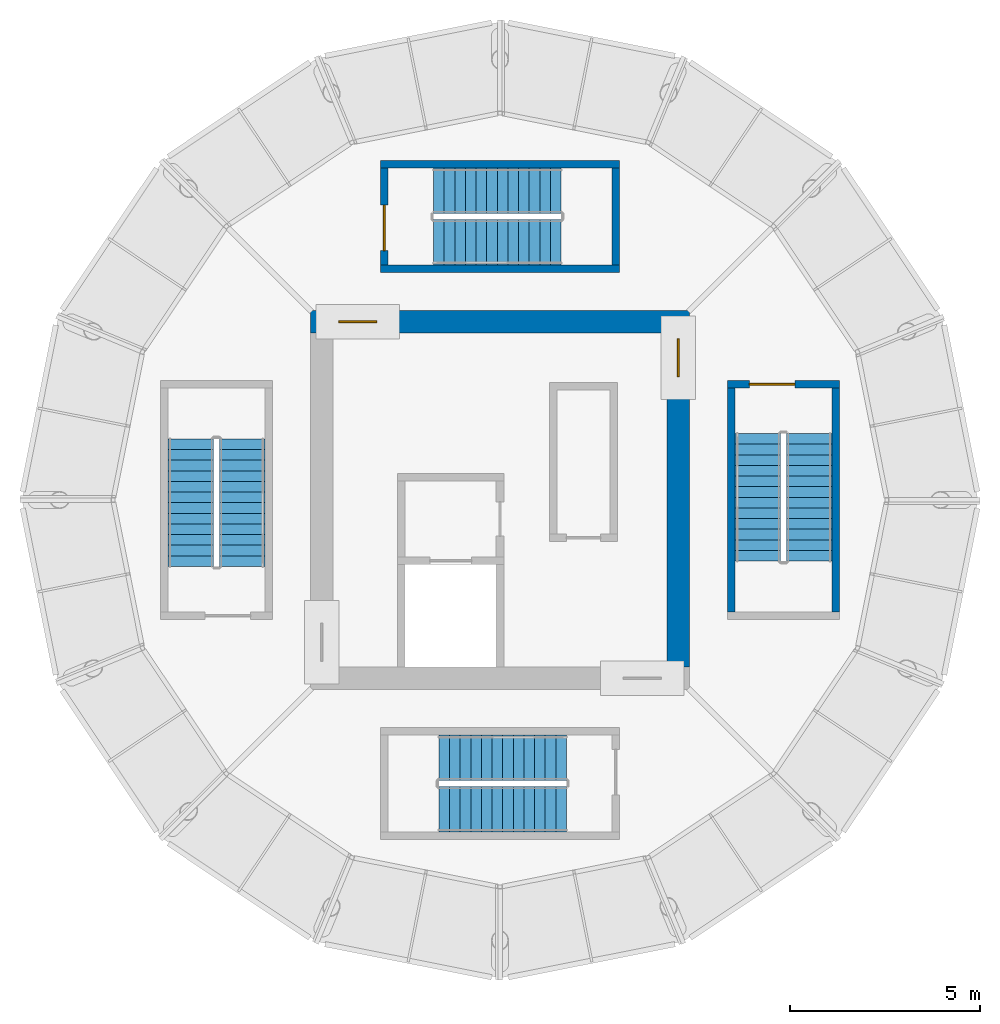
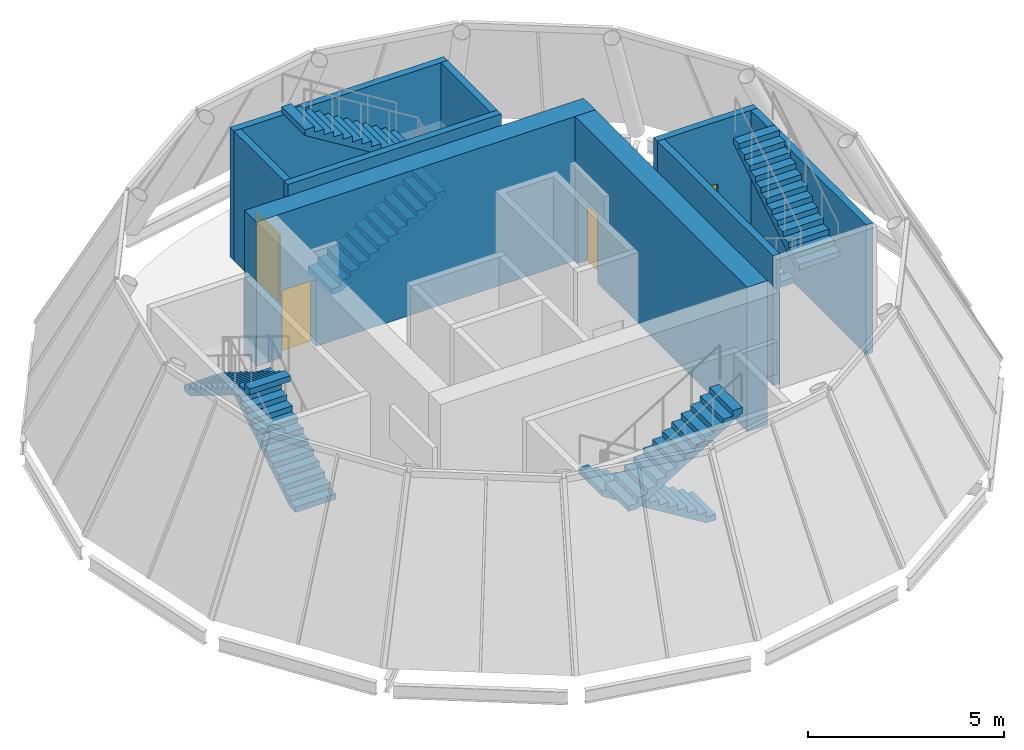
# One storey, part 4 of 5: 9 walls, 8 stair flights, 4 doors, 4 openings, 4 elements without a shape of their own.
"""IFC4 building model written with IfcOpenShell, lengths in metres."""

from ifc_helpers import new_model, si_unit, direction, frame, frame_2d, origin, place, context, subcontext, project, spatial, polyline, rectangle, outline, extrude, material, layer, layer_set, type_object, element, fill, aggregate, save


model = new_model("IFC4")

# Units and contexts
model_context = context("Model", 3, precision=1e-05, world=origin(), true_north=direction((0.0, 1.0)))
body_context = subcontext(model_context, "Body", "Model", "MODEL_VIEW")
ifc_project = project(units=[si_unit("LENGTHUNIT", "METRE"), si_unit("AREAUNIT", "SQUARE_METRE"), si_unit("VOLUMEUNIT", "CUBIC_METRE"), si_unit("PLANEANGLEUNIT", "RADIAN"), si_unit("MASSUNIT", "GRAM", prefix="KILO")], contexts=[model_context])

# Site, building, storey
site_placement = place(None, origin())
site = spatial("IfcSite", under=ifc_project, at=site_placement, CompositionType="ELEMENT")
building_placement = place(site_placement, origin())
building = spatial("IfcBuilding", under=site, at=building_placement, Name="Corvane Civic Tower", CompositionType="ELEMENT")
storey_placement = place(building_placement, frame((0.0, 0.0, 402.0)))
storey = spatial("IfcBuildingStorey", under=building, at=storey_placement, Name="L95", CompositionType="ELEMENT", Elevation=402.0)

# Wall, opening, door
ifc_material_1 = material(Name="Concrete C40/50", Category="concrete")
ifc_layer_1 = layer(ifc_material_1, 0.60009765625)
ifc_layer_set_1 = layer_set([ifc_layer_1], Name="Concrete C40/50")
wall_type_1 = type_object("IfcWallType", Name="CORE WALL 600 C40/50", PredefinedType="SHEAR", material=ifc_layer_set_1)
wall_1_placement = place(storey_placement, frame((-5.0, 4.699951171875, 0.0), z_axis=(0.0, 0.0, 1.0), x_axis=(1.0, 0.0, 0.0)))
wall_1 = element("IfcWall", 1, at=wall_1_placement, inside=storey, type_object=wall_type_1, Name="W-L95-core-N", PredefinedType="SHEAR", context=body_context, shape_type="SweptSolid", body=[
    extrude(rectangle(XDim=10.0, YDim=0.60009765625, at=frame_2d((5.0, 0.0))), origin(), (0.0, 0.0, 1.0), 4.5),
])
opening_1_placement = place(wall_1_placement, frame((0.75, 0.0, 0.0)))
opening_1 = element("IfcOpeningElement", 2, at=opening_1_placement, cuts=wall_1, Name="Opening L95.C08", PredefinedType="OPENING", context=body_context, shape_type="SweptSolid", body=[
    extrude(rectangle(XDim=1.0, YDim=2.10009765625, at=frame_2d((0.5, 1.050048828125))), frame((0.0, 0.31005859375, 0.0), z_axis=(0.0, -1.0, 0.0), x_axis=(1.0, 0.0, 0.0)), (0.0, 0.0, 1.0), 0.6201171875),
])
ifc_material_2 = material(Name="Steel fire door leaf", Category="steel")
door_type_1 = type_object("IfcDoorType", Name="CR-DOOR-CORE-1800", OperationType="DOUBLE_DOOR_SINGLE_SWING", PredefinedType="DOOR", material=ifc_material_2)
door_1_placement = place(opening_1_placement, origin())
door_1 = element("IfcDoor", 3, at=door_1_placement, inside=storey, type_object=door_type_1, Name="L95 door", OperationType="DOUBLE_DOOR_SINGLE_SWING", OverallHeight=2.10009765625, OverallWidth=1.0, PredefinedType="DOOR", context=body_context, shape_type="SweptSolid", body=[
    extrude(rectangle(XDim=1.0, YDim=2.10009765625, at=frame_2d((0.5, 1.050048828125))), frame((0.0, 0.02490234375, 0.0), z_axis=(0.0, -1.0, 0.0), x_axis=(1.0, 0.0, 0.0)), (0.0, 0.0, 1.0), 0.050048828125),
])
fill(opening_1, door_1)

wall_2_placement = place(storey_placement, frame((4.699951171875, -4.39990234375, 0.0), z_axis=(0.0, 0.0, 1.0), x_axis=(0.0, 1.0, 0.0)))
wall_2 = element("IfcWall", 4, at=wall_2_placement, inside=storey, type_object=wall_type_1, Name="W-L95-core-E", PredefinedType="SHEAR", context=body_context, shape_type="SweptSolid", body=[
    extrude(rectangle(XDim=8.7998046875, YDim=0.60009765625, at=frame_2d((4.39990234375, 0.0))), origin(), (0.0, 0.0, 1.0), 4.5),
])
opening_2_placement = place(wall_2_placement, frame((7.64990234375, 0.0, 0.0)))
opening_2 = element("IfcOpeningElement", 5, at=opening_2_placement, cuts=wall_2, Name="Opening L95.C07", PredefinedType="OPENING", context=body_context, shape_type="SweptSolid", body=[
    extrude(rectangle(XDim=1.0, YDim=2.10009765625, at=frame_2d((0.5, 1.050048828125))), frame((0.0, 0.31005859375, 0.0), z_axis=(0.0, -1.0, 0.0), x_axis=(1.0, 0.0, 0.0)), (0.0, 0.0, 1.0), 0.6201171875),
])
door_2_placement = place(opening_2_placement, origin())
door_2 = element("IfcDoor", 6, at=door_2_placement, inside=storey, type_object=door_type_1, Name="L95 door", OperationType="DOUBLE_DOOR_SINGLE_SWING", OverallHeight=2.10009765625, OverallWidth=1.0, PredefinedType="DOOR", context=body_context, shape_type="SweptSolid", body=[
    extrude(rectangle(XDim=1.0, YDim=2.10009765625, at=frame_2d((0.5, 1.050048828125))), frame((0.0, 0.02490234375, 0.0), z_axis=(0.0, -1.0, 0.0), x_axis=(1.0, 0.0, 0.0)), (0.0, 0.0, 1.0), 0.050048828125),
])
fill(opening_2, door_2)

ifc_material_3 = material(Name="Concrete C50/60", Category="concrete")
ifc_layer_2 = layer(ifc_material_3, 0.199951171875)
ifc_layer_set_2 = layer_set([ifc_layer_2], Name="Concrete C50/60")
wall_type_2 = type_object("IfcWallType", Name="ST-WALL-200", PredefinedType="SHEAR", material=ifc_layer_set_2)
wall_3_placement = place(storey_placement, frame((6.0, 3.050048828125, 0.0), z_axis=(0.0, 0.0, 1.0), x_axis=(1.0, 0.0, 0.0)))
wall_3 = element("IfcWall", 7, at=wall_3_placement, inside=storey, type_object=wall_type_2, Name="L95 stair enclosure wall", PredefinedType="SHEAR", context=body_context, shape_type="SweptSolid", body=[
    extrude(rectangle(XDim=2.949951171875, YDim=0.199951171875, at=frame_2d((1.47509765625, 0.0))), origin(), (0.0, 0.0, 1.0), 4.050048828125),
])
opening_3_placement = place(wall_3_placement, frame((0.574951171875, 0.0, 0.0)))
opening_3 = element("IfcOpeningElement", 8, at=opening_3_placement, cuts=wall_3, Name="Opening L95.C03", PredefinedType="OPENING", context=body_context, shape_type="SweptSolid", body=[
    extrude(rectangle(XDim=1.199951171875, YDim=2.10009765625, at=frame_2d((0.60009765625, 1.050048828125))), frame((0.0, 0.10986328125, 0.0), z_axis=(0.0, -1.0, 0.0), x_axis=(1.0, 0.0, 0.0)), (0.0, 0.0, 1.0), 0.219970703125),
])
ifc_material_4 = material(Name="Steel fire door leaf", Category="steel")
door_type_2 = type_object("IfcDoorType", Name="ST-DOOR-1200", OperationType="SINGLE_SWING_RIGHT", PredefinedType="DOOR", material=ifc_material_4)
door_3_placement = place(opening_3_placement, origin())
door_3 = element("IfcDoor", 9, at=door_3_placement, inside=storey, type_object=door_type_2, Name="L95 stair door", OperationType="SINGLE_SWING_RIGHT", OverallHeight=2.10009765625, OverallWidth=1.199951171875, PredefinedType="DOOR", context=body_context, shape_type="SweptSolid", body=[
    extrude(rectangle(XDim=1.199951171875, YDim=2.10009765625, at=frame_2d((0.60009765625, 1.050048828125))), frame((0.0, 0.02490234375, 0.0), z_axis=(0.0, -1.0, 0.0), x_axis=(1.0, 0.0, 0.0)), (0.0, 0.0, 1.0), 0.050048828125),
])
fill(opening_3, door_3)

wall_4_placement = place(storey_placement, frame((-3.050048828125, 6.199951171875, 0.0), z_axis=(0.0, 0.0, 1.0), x_axis=(0.0, 1.0, 0.0)))
wall_4 = element("IfcWall", 10, at=wall_4_placement, inside=storey, type_object=wall_type_2, Name="L95 stair enclosure wall", PredefinedType="SHEAR", context=body_context, shape_type="SweptSolid", body=[
    extrude(rectangle(XDim=2.550048828125, YDim=0.199951171875, at=frame_2d((1.27490234375, 0.0))), origin(), (0.0, 0.0, 1.0), 4.050048828125),
])
opening_4_placement = place(wall_4_placement, frame((0.375, 0.0, 0.0)))
opening_4 = element("IfcOpeningElement", 11, at=opening_4_placement, cuts=wall_4, Name="Opening L95.C04", PredefinedType="OPENING", context=body_context, shape_type="SweptSolid", body=[
    extrude(rectangle(XDim=1.199951171875, YDim=2.10009765625, at=frame_2d((0.60009765625, 1.050048828125))), frame((0.0, 0.10986328125, 0.0), z_axis=(0.0, -1.0, 0.0), x_axis=(1.0, 0.0, 0.0)), (0.0, 0.0, 1.0), 0.219970703125),
])
door_4_placement = place(opening_4_placement, origin())
door_4 = element("IfcDoor", 12, at=door_4_placement, inside=storey, type_object=door_type_2, Name="L95 stair door", OperationType="SINGLE_SWING_RIGHT", OverallHeight=2.10009765625, OverallWidth=1.199951171875, PredefinedType="DOOR", context=body_context, shape_type="SweptSolid", body=[
    extrude(rectangle(XDim=1.199951171875, YDim=2.10009765625, at=frame_2d((0.60009765625, 1.050048828125))), frame((0.0, 0.02490234375, 0.0), z_axis=(0.0, -1.0, 0.0), x_axis=(1.0, 0.0, 0.0)), (0.0, 0.0, 1.0), 0.050048828125),
])
fill(opening_4, door_4)

# Walls
wall_5_placement = place(storey_placement, origin())
element("IfcWall", 13, at=wall_5_placement, inside=storey, type_object=wall_type_2, Name="L95 stair enclosure wall", PredefinedType="SHEAR", context=body_context, shape_type="SweptSolid", body=[
    extrude(outline(polyline([(3.14990234375, 6.0), (-3.14990234375, 6.0), (-3.14990234375, 6.199951171875), (3.14990234375, 6.199951171875), (3.14990234375, 6.0)])), origin(), (0.0, 0.0, 1.0), 4.050048828125),
])
wall_6_placement = place(storey_placement, origin())
element("IfcWall", 14, at=wall_6_placement, inside=storey, type_object=wall_type_2, Name="L95 stair enclosure wall", PredefinedType="SHEAR", context=body_context, shape_type="SweptSolid", body=[
    extrude(outline(polyline([(3.14990234375, 8.75), (-3.14990234375, 8.75), (-3.14990234375, 8.949951171875), (3.14990234375, 8.949951171875), (3.14990234375, 8.75)])), origin(), (0.0, 0.0, 1.0), 4.050048828125),
])
wall_7_placement = place(storey_placement, origin())
element("IfcWall", 15, at=wall_7_placement, inside=storey, type_object=wall_type_2, Name="L95 stair enclosure wall", PredefinedType="SHEAR", context=body_context, shape_type="SweptSolid", body=[
    extrude(outline(polyline([(6.199951171875, 2.949951171875), (6.199951171875, -2.949951171875), (6.0, -2.949951171875), (6.0, 2.949951171875), (6.199951171875, 2.949951171875)])), origin(), (0.0, 0.0, 1.0), 4.050048828125),
])
wall_8_placement = place(storey_placement, origin())
element("IfcWall", 16, at=wall_8_placement, inside=storey, type_object=wall_type_2, Name="L95 stair enclosure wall", PredefinedType="SHEAR", context=body_context, shape_type="SweptSolid", body=[
    extrude(outline(polyline([(8.949951171875, 2.949951171875), (8.949951171875, -2.949951171875), (8.75, -2.949951171875), (8.75, 2.949951171875), (8.949951171875, 2.949951171875)])), origin(), (0.0, 0.0, 1.0), 4.050048828125),
])
wall_9_placement = place(storey_placement, origin())
element("IfcWall", 17, at=wall_9_placement, inside=storey, type_object=wall_type_2, Name="L95 stair enclosure wall", PredefinedType="SHEAR", context=body_context, shape_type="SweptSolid", body=[
    extrude(outline(polyline([(3.14990234375, 6.2001953125), (2.949951171875, 6.2001953125), (2.949951171875, 8.75), (3.14990234375, 8.75), (3.14990234375, 6.2001953125)])), origin(), (0.0, 0.0, 1.0), 4.050048828125),
])

# Stair, stair flights
ifc_material_5 = material(Name="Concrete C40/50", Category="concrete")
stair_type = type_object("IfcStairType", Name="ST-STAIR-HALFTURN", PredefinedType="HALF_TURN_STAIR", material=ifc_material_5)
stair_1_placement = place(storey_placement, origin())
stair_1 = element("IfcStair", 18, at=stair_1_placement, inside=storey, type_object=stair_type, Name="L95 Crown stair CS1", PredefinedType="HALF_TURN_STAIR")
ifc_material_6 = material(Name="Concrete C40/50", Category="concrete")
stair_flight_type = type_object("IfcStairFlightType", Name="ST-FLIGHT-RC", PredefinedType="STRAIGHT", material=ifc_material_6)
stair_flight_1_placement = place(storey_placement, frame((6.800048828125, 1.75, 0.0), z_axis=(0.0, 0.0, 1.0), x_axis=(0.0, -1.0, 0.0)))
stair_flight_1 = element("IfcStairFlight", 19, at=stair_flight_1_placement, type_object=stair_flight_type, Name="CS1 flight 1", NumberOfRisers=13, NumberOfTreads=12, PredefinedType="STRAIGHT", RiserHeight=0.173076923, TreadLength=0.28, context=body_context, shape_type="SweptSolid", body=[
    extrude(outline(polyline([(0.0, 0.0), (0.0, 0.173095703125), (0.280029296875, 0.173095703125), (0.280029296875, 0.34619140625), (0.56005859375, 0.34619140625), (0.56005859375, 0.519287109375), (0.840087890625, 0.519287109375), (0.840087890625, 0.6923828125), (1.1201171875, 0.6923828125), (1.1201171875, 0.865478515625), (1.39990234375, 0.865478515625), (1.39990234375, 1.03857421875), (1.679931640625, 1.03857421875), (1.679931640625, 1.21142578125), (1.9599609375, 1.21142578125), (1.9599609375, 1.384521484375), (2.239990234375, 1.384521484375), (2.239990234375, 1.5576171875), (2.52001953125, 1.5576171875), (2.52001953125, 1.730712890625), (2.800048828125, 1.730712890625), (2.800048828125, 1.90380859375), (3.080078125, 1.90380859375), (3.080078125, 2.076904296875), (3.360107421875, 2.076904296875), (3.360107421875, 2.25), (3.360107421875, 1.900634765625), (0.28515625, 0.0), (0.0, 0.0)])), frame((0.0, 0.60009765625, 0.0), z_axis=(0.0, -1.0, 0.0), x_axis=(1.0, 0.0, 0.0)), (0.0, 0.0, 1.0), 1.199951171875),
])
stair_flight_2_placement = place(storey_placement, frame((8.14990234375, -1.610107421875, 2.25), z_axis=(0.0, 0.0, 1.0), x_axis=(0.0, 1.0, 0.0)))
stair_flight_2 = element("IfcStairFlight", 20, at=stair_flight_2_placement, type_object=stair_flight_type, Name="CS1 flight 2", NumberOfRisers=13, NumberOfTreads=12, PredefinedType="STRAIGHT", RiserHeight=0.173076923, TreadLength=0.28, context=body_context, shape_type="SweptSolid", body=[
    extrude(outline(polyline([(0.0, 0.0), (0.0, 0.173095703125), (0.280029296875, 0.173095703125), (0.280029296875, 0.34619140625), (0.56005859375, 0.34619140625), (0.56005859375, 0.519287109375), (0.840087890625, 0.519287109375), (0.840087890625, 0.6923828125), (1.1201171875, 0.6923828125), (1.1201171875, 0.865478515625), (1.39990234375, 0.865478515625), (1.39990234375, 1.03857421875), (1.679931640625, 1.03857421875), (1.679931640625, 1.21142578125), (1.9599609375, 1.21142578125), (1.9599609375, 1.384521484375), (2.239990234375, 1.384521484375), (2.239990234375, 1.5576171875), (2.52001953125, 1.5576171875), (2.52001953125, 1.730712890625), (2.800048828125, 1.730712890625), (2.800048828125, 1.90380859375), (3.080078125, 1.90380859375), (3.080078125, 2.076904296875), (3.360107421875, 2.076904296875), (3.360107421875, 2.25), (3.360107421875, 1.900634765625), (0.28515625, 0.0), (0.0, 0.0)])), frame((0.0, 0.60009765625, 0.0), z_axis=(0.0, -1.0, 0.0), x_axis=(1.0, 0.0, 0.0)), (0.0, 0.0, 1.0), 1.199951171875),
])
aggregate(stair_1, [stair_flight_1, stair_flight_2])

stair_2_placement = place(storey_placement, origin())
stair_2 = element("IfcStair", 21, at=stair_2_placement, inside=storey, type_object=stair_type, Name="L95 Crown stair CS2", PredefinedType="HALF_TURN_STAIR")
stair_flight_3_placement = place(storey_placement, frame((-1.75, 6.800048828125, 0.0), z_axis=(0.0, 0.0, 1.0), x_axis=(1.0, 0.0, 0.0)))
stair_flight_3 = element("IfcStairFlight", 22, at=stair_flight_3_placement, type_object=stair_flight_type, Name="CS2 flight 1", NumberOfRisers=13, NumberOfTreads=12, PredefinedType="STRAIGHT", RiserHeight=0.173076923, TreadLength=0.28, context=body_context, shape_type="SweptSolid", body=[
    extrude(outline(polyline([(0.0, 0.0), (0.0, 0.173095703125), (0.280029296875, 0.173095703125), (0.280029296875, 0.34619140625), (0.56005859375, 0.34619140625), (0.56005859375, 0.519287109375), (0.840087890625, 0.519287109375), (0.840087890625, 0.6923828125), (1.1201171875, 0.6923828125), (1.1201171875, 0.865478515625), (1.39990234375, 0.865478515625), (1.39990234375, 1.03857421875), (1.679931640625, 1.03857421875), (1.679931640625, 1.21142578125), (1.9599609375, 1.21142578125), (1.9599609375, 1.384521484375), (2.239990234375, 1.384521484375), (2.239990234375, 1.5576171875), (2.52001953125, 1.5576171875), (2.52001953125, 1.730712890625), (2.800048828125, 1.730712890625), (2.800048828125, 1.90380859375), (3.080078125, 1.90380859375), (3.080078125, 2.076904296875), (3.360107421875, 2.076904296875), (3.360107421875, 2.25), (3.360107421875, 1.900634765625), (0.28515625, 0.0), (0.0, 0.0)])), frame((0.0, 0.60009765625, 0.0), z_axis=(0.0, -1.0, 0.0), x_axis=(1.0, 0.0, 0.0)), (0.0, 0.0, 1.0), 1.199951171875),
])
stair_flight_4_placement = place(storey_placement, frame((1.610107421875, 8.14990234375, 2.25), z_axis=(0.0, 0.0, 1.0), x_axis=(-1.0, 0.0, 0.0)))
stair_flight_4 = element("IfcStairFlight", 23, at=stair_flight_4_placement, type_object=stair_flight_type, Name="CS2 flight 2", NumberOfRisers=13, NumberOfTreads=12, PredefinedType="STRAIGHT", RiserHeight=0.173076923, TreadLength=0.28, context=body_context, shape_type="SweptSolid", body=[
    extrude(outline(polyline([(0.0, 0.0), (0.0, 0.173095703125), (0.280029296875, 0.173095703125), (0.280029296875, 0.34619140625), (0.56005859375, 0.34619140625), (0.56005859375, 0.519287109375), (0.840087890625, 0.519287109375), (0.840087890625, 0.6923828125), (1.1201171875, 0.6923828125), (1.1201171875, 0.865478515625), (1.39990234375, 0.865478515625), (1.39990234375, 1.03857421875), (1.679931640625, 1.03857421875), (1.679931640625, 1.21142578125), (1.9599609375, 1.21142578125), (1.9599609375, 1.384521484375), (2.239990234375, 1.384521484375), (2.239990234375, 1.5576171875), (2.52001953125, 1.5576171875), (2.52001953125, 1.730712890625), (2.800048828125, 1.730712890625), (2.800048828125, 1.90380859375), (3.080078125, 1.90380859375), (3.080078125, 2.076904296875), (3.360107421875, 2.076904296875), (3.360107421875, 2.25), (3.360107421875, 1.900634765625), (0.28515625, 0.0), (0.0, 0.0)])), frame((0.0, 0.60009765625, 0.0), z_axis=(0.0, -1.0, 0.0), x_axis=(1.0, 0.0, 0.0)), (0.0, 0.0, 1.0), 1.199951171875),
])
aggregate(stair_2, [stair_flight_3, stair_flight_4])

stair_3_placement = place(storey_placement, origin())
stair_3 = element("IfcStair", 24, at=stair_3_placement, inside=storey, type_object=stair_type, Name="L95 Crown stair CS3", PredefinedType="HALF_TURN_STAIR")
stair_flight_5_placement = place(storey_placement, frame((-6.800048828125, -1.75, 0.0), z_axis=(0.0, 0.0, 1.0), x_axis=(0.0, 1.0, 0.0)))
stair_flight_5 = element("IfcStairFlight", 25, at=stair_flight_5_placement, type_object=stair_flight_type, Name="CS3 flight 1", NumberOfRisers=13, NumberOfTreads=12, PredefinedType="STRAIGHT", RiserHeight=0.173076923, TreadLength=0.28, context=body_context, shape_type="SweptSolid", body=[
    extrude(outline(polyline([(0.0, 0.0), (0.0, 0.173095703125), (0.280029296875, 0.173095703125), (0.280029296875, 0.34619140625), (0.56005859375, 0.34619140625), (0.56005859375, 0.519287109375), (0.840087890625, 0.519287109375), (0.840087890625, 0.6923828125), (1.1201171875, 0.6923828125), (1.1201171875, 0.865478515625), (1.39990234375, 0.865478515625), (1.39990234375, 1.03857421875), (1.679931640625, 1.03857421875), (1.679931640625, 1.21142578125), (1.9599609375, 1.21142578125), (1.9599609375, 1.384521484375), (2.239990234375, 1.384521484375), (2.239990234375, 1.5576171875), (2.52001953125, 1.5576171875), (2.52001953125, 1.730712890625), (2.800048828125, 1.730712890625), (2.800048828125, 1.90380859375), (3.080078125, 1.90380859375), (3.080078125, 2.076904296875), (3.360107421875, 2.076904296875), (3.360107421875, 2.25), (3.360107421875, 1.900634765625), (0.28515625, 0.0), (0.0, 0.0)])), frame((0.0, 0.60009765625, 0.0), z_axis=(0.0, -1.0, 0.0), x_axis=(1.0, 0.0, 0.0)), (0.0, 0.0, 1.0), 1.199951171875),
])
stair_flight_6_placement = place(storey_placement, frame((-8.14990234375, 1.610107421875, 2.25), z_axis=(0.0, 0.0, 1.0), x_axis=(0.0, -1.0, 0.0)))
stair_flight_6 = element("IfcStairFlight", 26, at=stair_flight_6_placement, type_object=stair_flight_type, Name="CS3 flight 2", NumberOfRisers=13, NumberOfTreads=12, PredefinedType="STRAIGHT", RiserHeight=0.173076923, TreadLength=0.28, context=body_context, shape_type="SweptSolid", body=[
    extrude(outline(polyline([(0.0, 0.0), (0.0, 0.173095703125), (0.280029296875, 0.173095703125), (0.280029296875, 0.34619140625), (0.56005859375, 0.34619140625), (0.56005859375, 0.519287109375), (0.840087890625, 0.519287109375), (0.840087890625, 0.6923828125), (1.1201171875, 0.6923828125), (1.1201171875, 0.865478515625), (1.39990234375, 0.865478515625), (1.39990234375, 1.03857421875), (1.679931640625, 1.03857421875), (1.679931640625, 1.21142578125), (1.9599609375, 1.21142578125), (1.9599609375, 1.384521484375), (2.239990234375, 1.384521484375), (2.239990234375, 1.5576171875), (2.52001953125, 1.5576171875), (2.52001953125, 1.730712890625), (2.800048828125, 1.730712890625), (2.800048828125, 1.90380859375), (3.080078125, 1.90380859375), (3.080078125, 2.076904296875), (3.360107421875, 2.076904296875), (3.360107421875, 2.25), (3.360107421875, 1.900634765625), (0.28515625, 0.0), (0.0, 0.0)])), frame((0.0, 0.60009765625, 0.0), z_axis=(0.0, -1.0, 0.0), x_axis=(1.0, 0.0, 0.0)), (0.0, 0.0, 1.0), 1.199951171875),
])
aggregate(stair_3, [stair_flight_5, stair_flight_6])

stair_4_placement = place(storey_placement, origin())
stair_4 = element("IfcStair", 27, at=stair_4_placement, inside=storey, type_object=stair_type, Name="L95 Crown stair CS4", PredefinedType="HALF_TURN_STAIR")
stair_flight_7_placement = place(storey_placement, frame((1.75, -6.800048828125, 0.0), z_axis=(0.0, 0.0, 1.0), x_axis=(-1.0, 0.0, 0.0)))
stair_flight_7 = element("IfcStairFlight", 28, at=stair_flight_7_placement, type_object=stair_flight_type, Name="CS4 flight 1", NumberOfRisers=13, NumberOfTreads=12, PredefinedType="STRAIGHT", RiserHeight=0.173076923, TreadLength=0.28, context=body_context, shape_type="SweptSolid", body=[
    extrude(outline(polyline([(0.0, 0.0), (0.0, 0.173095703125), (0.280029296875, 0.173095703125), (0.280029296875, 0.34619140625), (0.56005859375, 0.34619140625), (0.56005859375, 0.519287109375), (0.840087890625, 0.519287109375), (0.840087890625, 0.6923828125), (1.1201171875, 0.6923828125), (1.1201171875, 0.865478515625), (1.39990234375, 0.865478515625), (1.39990234375, 1.03857421875), (1.679931640625, 1.03857421875), (1.679931640625, 1.21142578125), (1.9599609375, 1.21142578125), (1.9599609375, 1.384521484375), (2.239990234375, 1.384521484375), (2.239990234375, 1.5576171875), (2.52001953125, 1.5576171875), (2.52001953125, 1.730712890625), (2.800048828125, 1.730712890625), (2.800048828125, 1.90380859375), (3.080078125, 1.90380859375), (3.080078125, 2.076904296875), (3.360107421875, 2.076904296875), (3.360107421875, 2.25), (3.360107421875, 1.900634765625), (0.28515625, 0.0), (0.0, 0.0)])), frame((0.0, 0.60009765625, 0.0), z_axis=(0.0, -1.0, 0.0), x_axis=(1.0, 0.0, 0.0)), (0.0, 0.0, 1.0), 1.199951171875),
])
stair_flight_8_placement = place(storey_placement, frame((-1.610107421875, -8.14990234375, 2.25), z_axis=(0.0, 0.0, 1.0), x_axis=(1.0, 0.0, 0.0)))
stair_flight_8 = element("IfcStairFlight", 29, at=stair_flight_8_placement, type_object=stair_flight_type, Name="CS4 flight 2", NumberOfRisers=13, NumberOfTreads=12, PredefinedType="STRAIGHT", RiserHeight=0.173076923, TreadLength=0.28, context=body_context, shape_type="SweptSolid", body=[
    extrude(outline(polyline([(0.0, 0.0), (0.0, 0.173095703125), (0.280029296875, 0.173095703125), (0.280029296875, 0.34619140625), (0.56005859375, 0.34619140625), (0.56005859375, 0.519287109375), (0.840087890625, 0.519287109375), (0.840087890625, 0.6923828125), (1.1201171875, 0.6923828125), (1.1201171875, 0.865478515625), (1.39990234375, 0.865478515625), (1.39990234375, 1.03857421875), (1.679931640625, 1.03857421875), (1.679931640625, 1.21142578125), (1.9599609375, 1.21142578125), (1.9599609375, 1.384521484375), (2.239990234375, 1.384521484375), (2.239990234375, 1.5576171875), (2.52001953125, 1.5576171875), (2.52001953125, 1.730712890625), (2.800048828125, 1.730712890625), (2.800048828125, 1.90380859375), (3.080078125, 1.90380859375), (3.080078125, 2.076904296875), (3.360107421875, 2.076904296875), (3.360107421875, 2.25), (3.360107421875, 1.900634765625), (0.28515625, 0.0), (0.0, 0.0)])), frame((0.0, 0.60009765625, 0.0), z_axis=(0.0, -1.0, 0.0), x_axis=(1.0, 0.0, 0.0)), (0.0, 0.0, 1.0), 1.199951171875),
])
aggregate(stair_4, [stair_flight_7, stair_flight_8])

save(model, "model.ifc")
